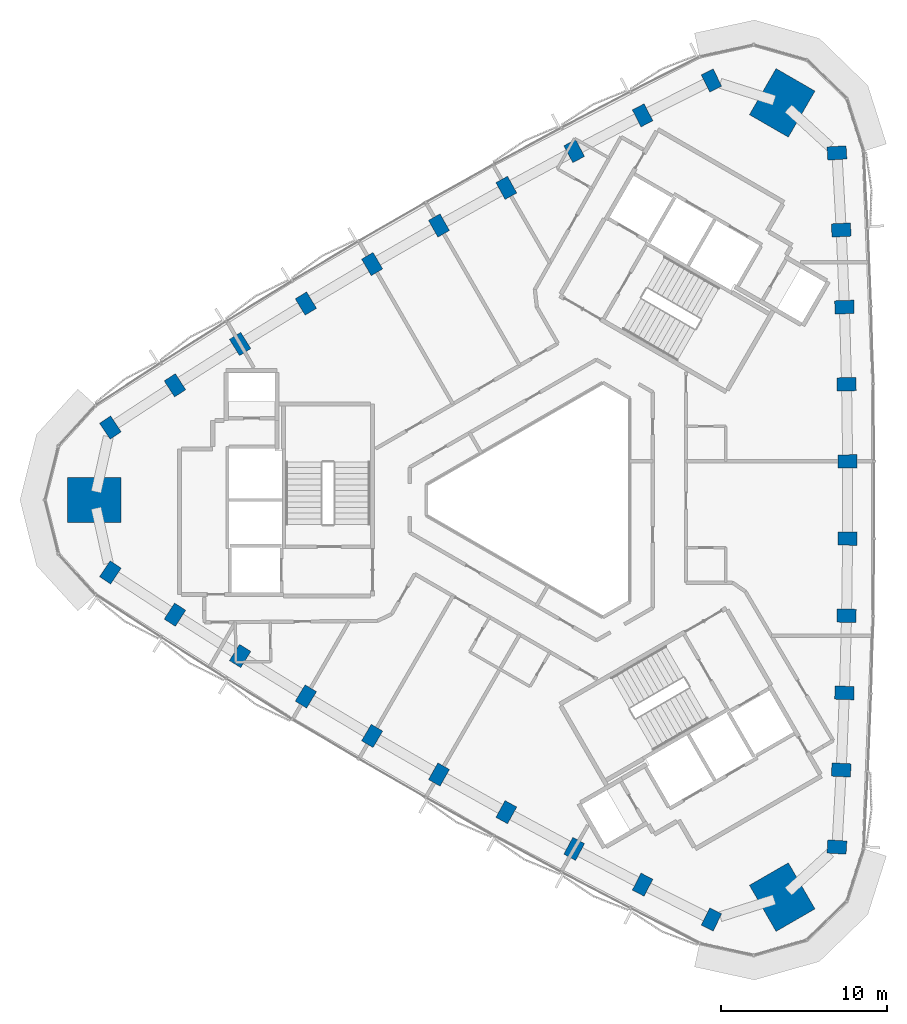
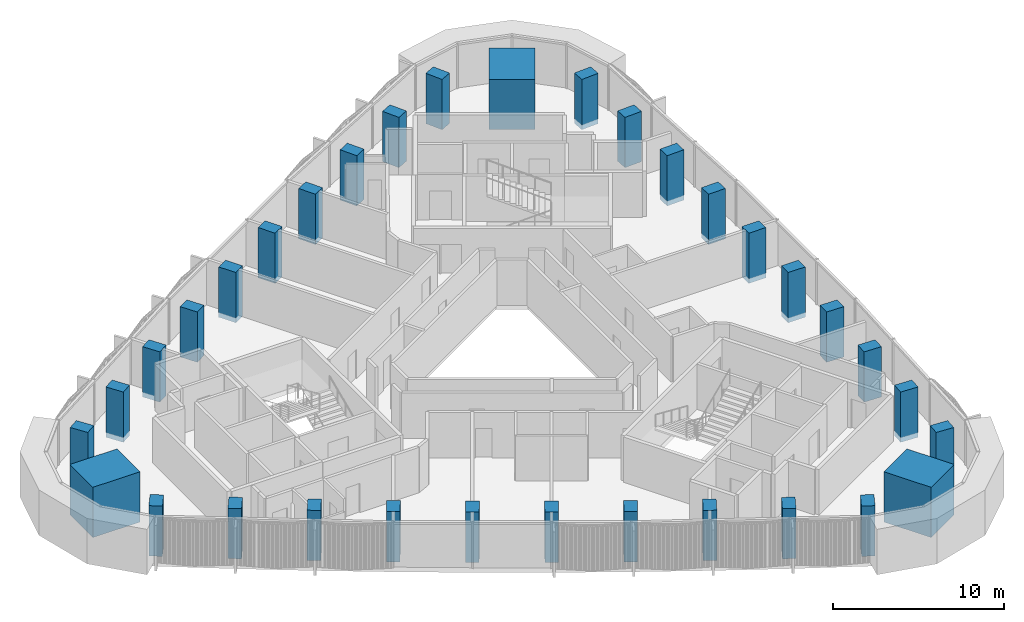
# One storey, part 1 of 13: 33 columns.
"""IFC4 building model written with IfcOpenShell, lengths in metres."""

from ifc_helpers import new_model, si_unit, direction, frame, origin, origin_2d, place, context, subcontext, project, spatial, rectangle, extrude, material, material_profile, profile_set, type_object, element, save


model = new_model("IFC4")

# Units and contexts
model_context = context("Model", 3, precision=1e-05, world=origin(), true_north=direction((0.0, 1.0)))
body_context = subcontext(model_context, "Body", "Model", "MODEL_VIEW")
ifc_project = project(units=[si_unit("LENGTHUNIT", "METRE"), si_unit("AREAUNIT", "SQUARE_METRE"), si_unit("VOLUMEUNIT", "CUBIC_METRE"), si_unit("PLANEANGLEUNIT", "RADIAN"), si_unit("MASSUNIT", "GRAM", prefix="KILO")], contexts=[model_context])

# Site, building, storey
site_placement = place(None, origin())
site = spatial("IfcSite", under=ifc_project, at=site_placement, CompositionType="ELEMENT")
building_placement = place(site_placement, origin())
building = spatial("IfcBuilding", under=site, at=building_placement, Name="Tamra Quay Hotel Tower", CompositionType="ELEMENT")
storey_placement = place(building_placement, frame((0.0, 0.0, 182.800048828125)))
storey = spatial("IfcBuildingStorey", under=building, at=storey_placement, Name="L45", CompositionType="ELEMENT", Elevation=182.800048828125)

# Columns
ifc_material = material(Name="Concrete M70", Category="concrete")
ifc_material_profile_1 = material_profile(ifc_material, rectangle(XDim=1.14990234375, YDim=0.800048828125, at=origin_2d()), Name="COLUMN RC 800x1150 Z4")
ifc_profile_set_1 = profile_set([ifc_material_profile_1], Name="Concrete M70")
column_type_1 = type_object("IfcColumnType", Name="COLUMN RC 800x1150 Z4", PredefinedType="COLUMN", material=ifc_profile_set_1)
for number, where, z_axis, x_axis, name in (
    (1, (17.069580078125, -20.856201171875, -0.35009765625), (0.0, 0.0, 1.0), (-0.998081035395, 0.061921295089, 0.0), "COL-C4E01-L45"),
    (2, (17.326416015625, -16.2255859375, -0.35009765625), (0.0, 0.0, 1.0), (-0.998830734492, 0.048344222345, 0.0), "COL-C4E02-L45"),
    (3, (17.519287109375, -11.592041015625, -0.35009765625), (0.0, 0.0, 1.0), (-0.999411600314, 0.034299462929, 0.0), "COL-C4E03-L45"),
    (4, (17.648193359375, -6.955810546875, -0.35009765625), (0.0, 0.0, 1.0), (-0.99977704996, 0.021115169271, 0.0), "COL-C4E04-L45"),
    (5, (17.71240234375, -2.318603515625, -0.35009765625), (0.0, 0.0, 1.0), (-0.999975214668, 0.007040600034, 0.0), "COL-C4E05-L45"),
    (6, (17.71240234375, 2.318603515625, -0.35009765625), (0.0, 0.0, 1.0), (0.999975214668, 0.007040600034, 0.0), "COL-C4E06-L45"),
    (7, (17.648193359375, 6.955810546875, -0.35009765625), (0.0, 0.0, 1.0), (0.99977704996, 0.021115169271, 0.0), "COL-C4E07-L45"),
    (8, (17.519287109375, 11.592041015625, -0.35009765625), (0.0, 0.0, 1.0), (0.999411600314, 0.034299462929, 0.0), "COL-C4E08-L45"),
    (9, (17.326416015625, 16.2255859375, -0.35009765625), (0.0, 0.0, 1.0), (0.998830734492, 0.048344222345, 0.0), "COL-C4E09-L45"),
    (10, (17.069580078125, 20.856201171875, -0.35009765625), (0.0, 0.0, 1.0), (0.998081035395, 0.061921295089, 0.0), "COL-C4E10-L45"),
    (11, (9.527099609375, 25.210693359375, -0.35009765625), (0.0, 0.0, 1.0), (-0.445415103115, 0.895324179232, 0.0), "COL-C4NW01-L45"),
    (12, (5.388427734375, 23.117919921875, -0.35009765625), (0.0, 0.0, 1.0), (-0.457548042569, 0.889184901323, 0.0), "COL-C4NW02-L45"),
    (13, (1.279296875, 20.96826171875, -0.35009765625), (0.0, 0.0, 1.0), (-0.470001593924, 0.882665566174, 0.0), "COL-C4NW03-L45"),
    (14, (-2.80029296875, 18.76171875, -0.35009765625), (0.0, 0.0, 1.0), (-0.481602251986, 0.876389908021, 0.0), "COL-C4NW04-L45"),
    (15, (-6.84814453125, 16.498779296875, -0.35009765625), (0.0, 0.0, 1.0), (-0.493890268847, 0.869524239075, 0.0), "COL-C4NW05-L45"),
    (16, (-10.8642578125, 14.18017578125, -0.35009765625), (0.0, 0.0, 1.0), (-0.506084945822, 0.862483639041, 0.0), "COL-C4NW06-L45"),
    (17, (-14.847900390625, 11.805908203125, -0.35009765625), (0.0, 0.0, 1.0), (-0.518174797974, 0.855274738751, 0.0), "COL-C4NW07-L45"),
    (18, (-18.798583984375, 9.376220703125, -0.35009765625), (0.0, 0.0, 1.0), (-0.52941000639, 0.848366103245, 0.0), "COL-C4NW08-L45"),
    (19, (-22.71484375, 6.892333984375, -0.35009765625), (0.0, 0.0, 1.0), (-0.541282691923, 0.840840678978, 0.0), "COL-C4NW09-L45"),
    (20, (-26.5966796875, 4.3544921875, -0.35009765625), (0.0, 0.0, 1.0), (-0.55266593228, 0.833402884143, 0.0), "COL-C4NW10-L45"),
    (21, (-26.5966796875, -4.3544921875, -0.35009765625), (0.0, 0.0, 1.0), (0.55266593228, 0.833402884143, 0.0), "COL-C4SW01-L45"),
    (22, (-22.71484375, -6.892333984375, -0.35009765625), (0.0, 0.0, 1.0), (0.541282691923, 0.840840678978, 0.0), "COL-C4SW02-L45"),
    (23, (-18.798583984375, -9.376220703125, -0.35009765625), (0.0, 0.0, 1.0), (0.52941000639, 0.848366103245, 0.0), "COL-C4SW03-L45"),
    (24, (-14.847900390625, -11.805908203125, -0.35009765625), (0.0, 0.0, 1.0), (0.518174797974, 0.855274738751, 0.0), "COL-C4SW04-L45"),
    (25, (-10.8642578125, -14.18017578125, -0.35009765625), (0.0, 0.0, 1.0), (0.506084945822, 0.862483639041, 0.0), "COL-C4SW05-L45"),
    (26, (-6.84814453125, -16.498779296875, -0.35009765625), (0.0, 0.0, 1.0), (0.493890268847, 0.869524239075, 0.0), "COL-C4SW06-L45"),
    (27, (-2.80029296875, -18.76171875, -0.35009765625), (0.0, 0.0, 1.0), (0.481602251986, 0.876389908021, 0.0), "COL-C4SW07-L45"),
    (28, (1.279296875, -20.96826171875, -0.35009765625), (0.0, 0.0, 1.0), (0.470001593924, 0.882665566174, 0.0), "COL-C4SW08-L45"),
    (29, (5.388427734375, -23.117919921875, -0.35009765625), (0.0, 0.0, 1.0), (0.457548042569, 0.889184901323, 0.0), "COL-C4SW09-L45"),
    (30, (9.527099609375, -25.210693359375, -0.35009765625), (0.0, 0.0, 1.0), (0.445415103115, 0.895324179232, 0.0), "COL-C4SW10-L45"),
):
    element("IfcColumn", number, at=place(storey_placement, frame(where, z_axis=z_axis, x_axis=x_axis)), inside=storey, type_object=column_type_1, Name=name, PredefinedType="COLUMN", context=body_context, shape_type="SweptSolid", body=[
        extrude(rectangle(XDim=1.14990234375, YDim=0.800048828125, at=origin_2d()), origin(), (0.0, 0.0, 1.0), 3.60009765625),
    ])
ifc_material_profile_2 = material_profile(ifc_material, rectangle(XDim=3.199951171875, YDim=2.699951171875, at=origin_2d()), Name="MEGA COLUMN RC 2700x3200 Z4")
ifc_profile_set_2 = profile_set([ifc_material_profile_2], Name="Concrete M70")
column_type_2 = type_object("IfcColumnType", Name="MEGA COLUMN RC 2700x3200 Z4", PredefinedType="COLUMN", material=ifc_profile_set_2)
for number, where, z_axis, x_axis, name in (
    (31, (13.779541015625, 23.86669921875, -0.35009765625), (0.0, 0.0, 1.0), (0.5, 0.866025403784, 0.0), "COL-M4NE-L45"),
    (32, (-27.55908203125, 0.0, -0.35009765625), (0.0, 0.0, 1.0), (1.0, 0.0, 0.0), "COL-M4W-L45"),
    (33, (13.779541015625, -23.86669921875, -0.35009765625), (0.0, 0.0, 1.0), (-0.5, 0.866025403784, 0.0), "COL-M4SE-L45"),
):
    element("IfcColumn", number, at=place(storey_placement, frame(where, z_axis=z_axis, x_axis=x_axis)), inside=storey, type_object=column_type_2, Name=name, PredefinedType="COLUMN", context=body_context, shape_type="SweptSolid", body=[
        extrude(rectangle(XDim=3.199951171875, YDim=2.699951171875, at=origin_2d()), origin(), (0.0, 0.0, 1.0), 3.60009765625),
    ])

save(model, "model.ifc")
